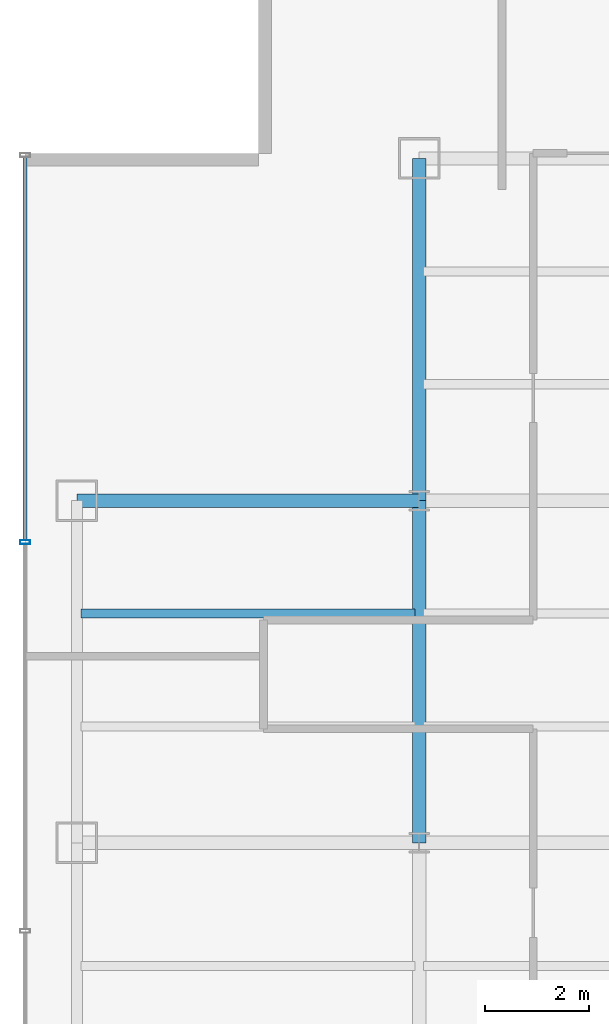
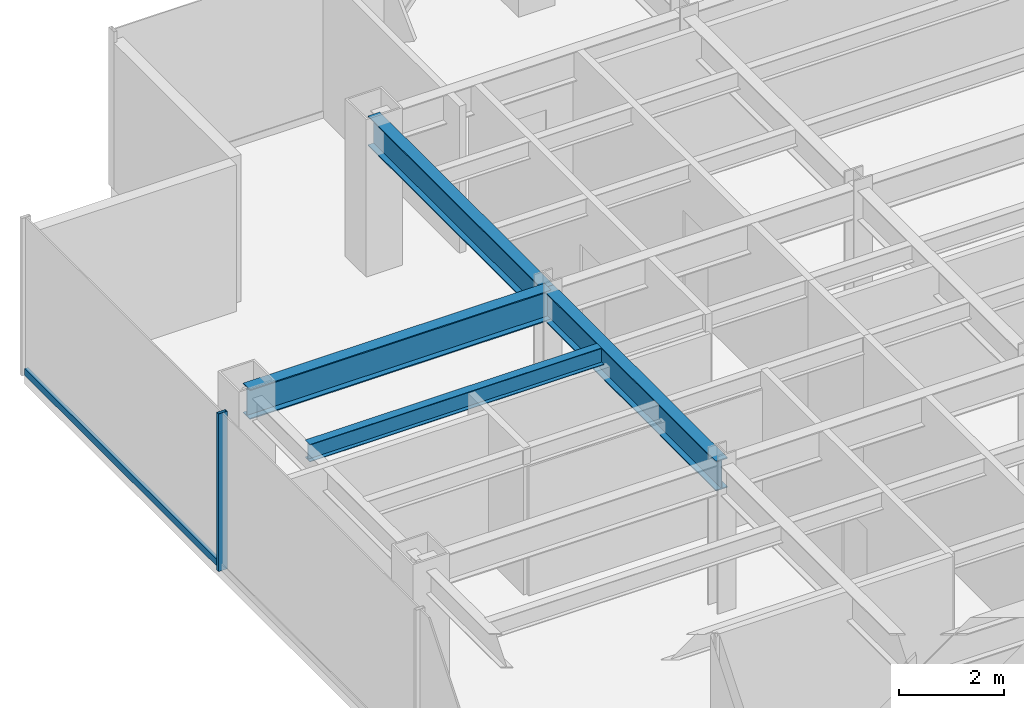
# One storey, part 6 of 26: 4 beams, 2 members, 1 element without a shape of its own.
"""IFC4 building model written with IfcOpenShell, lengths in metres."""

from ifc_helpers import new_model, si_unit, derived_unit, direction, frame, origin, origin_2d, place, context, subcontext, project, spatial, hollow_rectangle, i_section, extrude, source, transform, mapped, material, material_profile, profile_set, type_object, element, aggregate, save


model = new_model("IFC4")

# Units and contexts
model_context = context("Model", 3, precision=1e-05, world=origin(), true_north=direction((0.0, 1.0)))
body_context = subcontext(model_context, "Body", "Model", "MODEL_VIEW")
ifc_project = project(units=[si_unit("LENGTHUNIT", "METRE"), si_unit("AREAUNIT", "SQUARE_METRE"), si_unit("VOLUMEUNIT", "CUBIC_METRE"), si_unit("PLANEANGLEUNIT", "RADIAN"), si_unit("MASSUNIT", "GRAM", prefix="KILO"), derived_unit("THERMALTRANSMITTANCEUNIT", [(si_unit("POWERUNIT", "WATT"), 1), (si_unit("LENGTHUNIT", "METRE"), -2), (si_unit("THERMODYNAMICTEMPERATUREUNIT", "KELVIN"), -1)])], contexts=[model_context])

# Site, building, storey
site_placement = place(None, origin())
site = spatial("IfcSite", under=ifc_project, at=site_placement, CompositionType="ELEMENT")
building_placement = place(site_placement, origin())
building = spatial("IfcBuilding", under=site, at=building_placement, Name="Skarnbrae Concourse Arena and Tower", CompositionType="ELEMENT")
storey_placement = place(building_placement, frame((0.0, 0.0, 125.14990234375)))
storey = spatial("IfcBuildingStorey", under=building, at=storey_placement, Name="L31", CompositionType="ELEMENT", Elevation=125.14990234375)

# Beams
ifc_material_1 = material(Name="Steel CSA G40.21 350W", Category="steel")
ifc_material_profile_1 = material_profile(ifc_material_1, i_section(OverallWidth=0.256103515625, OverallDepth=0.693115234375, WebThickness=0.014404296875, FlangeThickness=0.023681640625, at=origin_2d()), Name="W690X170")
ifc_profile_set_1 = profile_set([ifc_material_profile_1], Name="Steel CSA G40.21 350W")
beam_type_1 = type_object("IfcBeamType", Name="BM-GIRD-W690X170", PredefinedType="BEAM", material=ifc_profile_set_1)
shared_shape_1 = source(origin(), body_context, "Body", "SweptSolid", [
    extrude(i_section(OverallWidth=0.256103515625, OverallDepth=0.693115234375, WebThickness=0.014404296875, FlangeThickness=0.023681640625, at=origin_2d()), origin(), (0.0, 0.0, 1.0), 6.60009765625),
])
for number, where, z_axis, x_axis, name in (
    (1, (1.0, 27.800048828125, 3.0537109375), (1.0, 0.0, 0.0), (0.0, 1.0, 0.0), "L31 Primary E-W girder Y27.8-1"),
    (2, (7.60009765625, 21.199951171875, 3.0537109375), (0.0, 1.0, 0.0), (-1.0, 0.0, 0.0), "L31 Primary N-S girder X7.6-2"),
):
    element("IfcBeam", number, at=place(storey_placement, frame(where, z_axis=z_axis, x_axis=x_axis)), inside=storey, type_object=beam_type_1, Name=name, PredefinedType="BEAM", context=body_context, shape_type="MappedRepresentation", body=[
        mapped(shared_shape_1, transform((0.0, 0.0, 0.0))),
    ])
shared_shape_2 = source(origin(), body_context, "Body", "SweptSolid", [
    extrude(i_section(OverallWidth=0.256103515625, OverallDepth=0.693115234375, WebThickness=0.014404296875, FlangeThickness=0.023681640625, at=origin_2d()), origin(), (0.0, 0.0, 1.0), 6.599853515625),
])
beam_1_placement = place(storey_placement, frame((7.60009765625, 27.800048828125, 3.0537109375), z_axis=(0.0, 1.0, 0.0), x_axis=(-1.0, 0.0, 0.0)))
element("IfcBeam", 3, at=beam_1_placement, inside=storey, type_object=beam_type_1, Name="L31 Primary N-S girder X7.6-3", PredefinedType="BEAM", context=body_context, shape_type="MappedRepresentation", body=[
    mapped(shared_shape_2, transform((0.0, 0.0, 0.0))),
])
ifc_material_profile_2 = material_profile(ifc_material_1, i_section(OverallWidth=0.177978515625, OverallDepth=0.406982421875, WebThickness=0.0078125, FlangeThickness=0.0126953125, at=origin_2d()), Name="W410X60")
ifc_profile_set_2 = profile_set([ifc_material_profile_2], Name="Steel CSA G40.21 350W")
beam_type_2 = type_object("IfcBeamType", Name="BM-JOIST-W410X60", PredefinedType="JOIST", material=ifc_profile_set_2)
shared_shape_3 = source(origin(), body_context, "Body", "SweptSolid", [
    extrude(i_section(OverallWidth=0.177978515625, OverallDepth=0.406982421875, WebThickness=0.0078125, FlangeThickness=0.0126953125, at=origin_2d()), origin(), (0.0, 0.0, 1.0), 6.43994140625),
])
beam_2_placement = place(storey_placement, frame((1.080078125, 25.6220703125, 3.196533203125), z_axis=(1.0, 0.0, 0.0), x_axis=(0.0, 1.0, 0.0)))
element("IfcBeam", 4, at=beam_2_placement, inside=storey, type_object=beam_type_2, Name="L31 Secondary floor joist 2.2.1", PredefinedType="JOIST", context=body_context, shape_type="MappedRepresentation", body=[
    mapped(shared_shape_3, transform((0.0, 0.0, 0.0))),
])

# Curtain wall, members
ifc_material_2 = material(Name="Bronze anodised aluminium 6063-T6", Category="aluminium")
curtain_wall_type = type_object("IfcCurtainWallType", Name="CW-SYS-04-MIDZONE", PredefinedType="USERDEFINED", material=ifc_material_2)
curtain_wall_placement = place(storey_placement, origin())
curtain_wall = element("IfcCurtainWall", 5, at=curtain_wall_placement, inside=storey, type_object=curtain_wall_type, Name="L31 Unitised curtain wall CW-L31-E19", ObjectType="UNITISED CURTAIN WALL", PredefinedType="USERDEFINED")
ifc_material_profile_3 = material_profile(ifc_material_2, hollow_rectangle(XDim=0.074951171875, YDim=0.195068359375, WallThickness=0.00439453125, at=origin_2d()), Name="ALU-MULL-75X195")
ifc_profile_set_3 = profile_set([ifc_material_profile_3], Name="Bronze anodised aluminium 6063-T6")
member_type_1 = type_object("IfcMemberType", Name="CWM-CW-04", PredefinedType="MULLION", material=ifc_profile_set_3)
shared_shape_4 = source(origin(), body_context, "Body", "SweptSolid", [
    extrude(hollow_rectangle(XDim=0.074951171875, YDim=0.195068359375, WallThickness=0.00439453125, at=origin_2d()), origin(), (0.0, 0.0, 1.0), 3.650146484375),
])
member_1_placement = place(storey_placement, frame((0.0, 27.0, 0.0), z_axis=(0.0, 0.0, 1.0), x_axis=(0.0, -1.0, 0.0)))
member_1 = element("IfcMember", 6, at=member_1_placement, type_object=member_type_1, Name="CW-L31-E19 Mullion 2", PredefinedType="MULLION", context=body_context, shape_type="MappedRepresentation", body=[
    mapped(shared_shape_4, transform((0.0, 0.0, 0.0))),
])
ifc_material_profile_4 = material_profile(ifc_material_2, hollow_rectangle(XDim=0.074951171875, YDim=0.159912109375, WallThickness=0.00439453125, at=origin_2d()), Name="ALU-TRAN-75X160")
ifc_profile_set_4 = profile_set([ifc_material_profile_4], Name="Bronze anodised aluminium 6063-T6")
member_type_2 = type_object("IfcMemberType", Name="CWT-CW-04", PredefinedType="USERDEFINED", material=ifc_profile_set_4)
shared_shape_5 = source(origin(), body_context, "Body", "SweptSolid", [
    extrude(hollow_rectangle(XDim=0.074951171875, YDim=0.159912109375, WallThickness=0.00439453125, at=origin_2d()), origin(), (0.0, 0.0, 1.0), 7.387451171875),
])
member_2_placement = place(storey_placement, frame((0.0, 34.425048828125, 0.080078125), z_axis=(0.0, -1.0, 0.0), x_axis=(1.0, 0.0, 0.0)))
member_2 = element("IfcMember", 7, at=member_2_placement, type_object=member_type_2, Name="CW-L31-E19 Transom 1", ObjectType="TRANSOM", PredefinedType="USERDEFINED", context=body_context, shape_type="MappedRepresentation", body=[
    mapped(shared_shape_5, transform((0.0, 0.0, 0.0))),
])
aggregate(curtain_wall, [member_1, member_2])

save(model, "model.ifc")
